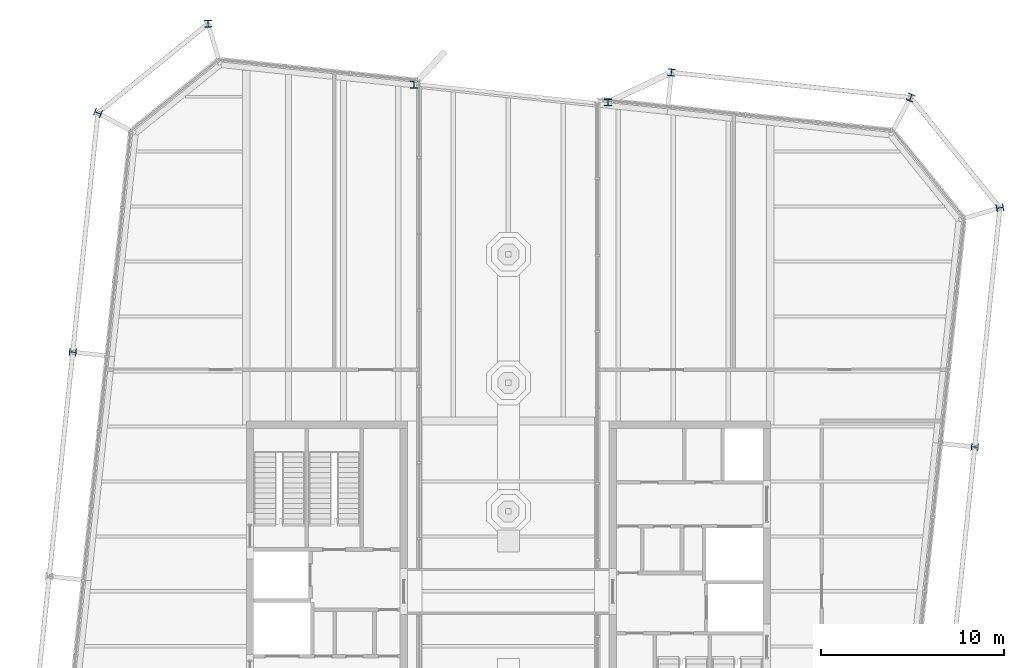
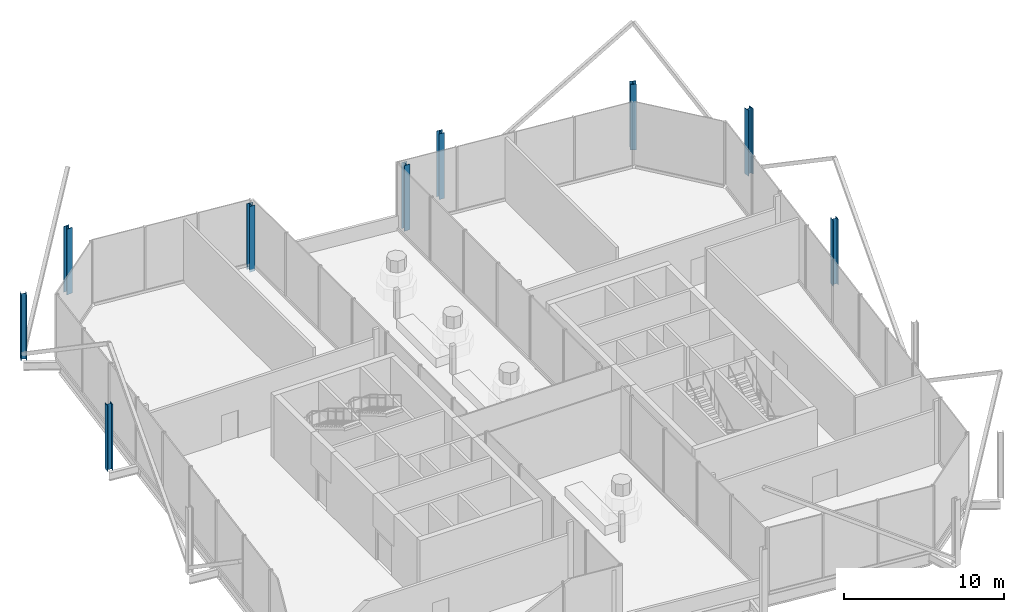
# One storey, part 2 of 14: 9 columns.
"""IFC4 building model written with IfcOpenShell, lengths in metres."""

from ifc_helpers import new_model, si_unit, direction, frame, origin, origin_2d, place, context, subcontext, project, spatial, i_section, extrude, material, material_profile, profile_set, type_object, element, save


model = new_model("IFC4")

# Units and contexts
model_context = context("Model", 3, precision=1e-05, world=origin(), true_north=direction((0.0, 1.0)))
body_context = subcontext(model_context, "Body", "Model", "MODEL_VIEW")
ifc_project = project(units=[si_unit("LENGTHUNIT", "METRE"), si_unit("AREAUNIT", "SQUARE_METRE"), si_unit("VOLUMEUNIT", "CUBIC_METRE"), si_unit("PLANEANGLEUNIT", "RADIAN"), si_unit("MASSUNIT", "GRAM", prefix="KILO")], contexts=[model_context])

# Site, building, storey
site_placement = place(None, origin())
site = spatial("IfcSite", under=ifc_project, at=site_placement, CompositionType="ELEMENT")
building_placement = place(site_placement, origin())
building = spatial("IfcBuilding", under=site, at=building_placement, Name="Millrace Tower", CompositionType="ELEMENT")
storey_placement = place(building_placement, frame((0.0, 0.0, 342.10009765625)))
storey = spatial("IfcBuildingStorey", under=building, at=storey_placement, Name="L79", CompositionType="ELEMENT", Elevation=342.10009765625)

# Columns
ifc_material_1 = material(Name="Steel ASTM A913 Grade 65", Category="steel")
ifc_material_profile_1 = material_profile(ifc_material_1, i_section(OverallWidth=0.396240234375, OverallDepth=0.381103515625, WebThickness=0.018798828125, FlangeThickness=0.0302734375, FilletRadius=0.01513671875, at=origin_2d()))
ifc_profile_set_1 = profile_set([ifc_material_profile_1], Name="Steel ASTM A913 Grade 65")
column_type_1 = type_object("IfcColumnType", Name="Crown corner post W14x159", PredefinedType="COLUMN", material=ifc_profile_set_1)
for number, where, z_axis, x_axis, name in (
    (1, (-5.1435546875, 27.64453125, -0.2001953125), (0.0, 0.0, 1.0), (1.0, 0.0, 0.0), "COL-CROWN-L79-SW-P02"),
    (2, (5.43408203125, 26.6826171875, -0.2001953125), (0.0, 0.0, 1.0), (1.0, 0.0, 0.0), "COL-CROWN-L79-SE-P01"),
):
    element("IfcColumn", number, at=place(storey_placement, frame(where, z_axis=z_axis, x_axis=x_axis)), inside=storey, type_object=column_type_1, Name=name, PredefinedType="COLUMN", context=body_context, shape_type="SweptSolid", body=[
        extrude(i_section(OverallWidth=0.396240234375, OverallDepth=0.381103515625, WebThickness=0.018798828125, FlangeThickness=0.0302734375, FilletRadius=0.01513671875, at=origin_2d()), origin(), (0.0, 0.0, 1.0), 5.0),
    ])
ifc_material_2 = material(Name="Steel ASTM A913 Grade 65", Category="steel")
ifc_material_profile_2 = material_profile(ifc_material_2, i_section(OverallWidth=0.393798828125, OverallDepth=0.3759765625, WebThickness=0.017333984375, FlangeThickness=0.027587890625, FilletRadius=0.01513671875, at=origin_2d()))
ifc_profile_set_2 = profile_set([ifc_material_profile_2], Name="Steel ASTM A913 Grade 65")
column_type_2 = type_object("IfcColumnType", Name="Exoskeleton column W14x145", PredefinedType="COLUMN", material=ifc_profile_set_2)
for number, where, z_axis, x_axis, name in (
    (3, (25.457275390625, 7.879150390625, 0.0), (0.0, 0.0, 1.0), (0.104528445407, 0.994521897246, 0.0), "COL-E-L79-X08"),
    (4, (8.9033203125, 28.321533203125, 0.0), (0.0, 0.0, 1.0), (-0.994521897384, 0.104528444087, 0.0), "COL-E-L79-X11"),
    (5, (-23.771484375, 13.053466796875, 0.0), (0.0, 0.0, 1.0), (-0.104528445407, -0.994521897246, 0.0), "COL-E-L79-X15"),
):
    element("IfcColumn", number, at=place(storey_placement, frame(where, z_axis=z_axis, x_axis=x_axis)), inside=storey, type_object=column_type_2, Name=name, PredefinedType="COLUMN", context=body_context, shape_type="SweptSolid", body=[
        extrude(i_section(OverallWidth=0.393798828125, OverallDepth=0.3759765625, WebThickness=0.017333984375, FlangeThickness=0.027587890625, FilletRadius=0.01513671875, at=origin_2d()), origin(), (0.0, 0.0, 1.0), 5.0),
    ])
ifc_material_3 = material(Name="Steel ASTM A913 Grade 65", Category="steel")
ifc_material_profile_3 = material_profile(ifc_material_3, i_section(OverallWidth=0.396240234375, OverallDepth=0.381103515625, WebThickness=0.018798828125, FlangeThickness=0.0302734375, FilletRadius=0.01513671875, at=origin_2d()))
ifc_profile_set_3 = profile_set([ifc_material_profile_3], Name="Steel ASTM A913 Grade 65")
column_type_3 = type_object("IfcColumnType", Name="Exoskeleton column W14x159", PredefinedType="COLUMN", material=ifc_profile_set_3)
for number, where, z_axis, x_axis, name in (
    (6, (26.82958984375, 20.935791015625, 0.0), (0.0, 0.0, 1.0), (-0.18038747256, 0.983595628164, 0.0), "COL-E-L79-X09"),
    (7, (21.9599609375, 26.94921875, 0.0), (0.0, 0.0, 1.0), (-0.92459700658, 0.380946683176, 0.0), "COL-E-L79-X10"),
    (8, (-16.3857421875, 30.9794921875, 0.0), (0.0, 0.0, 1.0), (-0.997513288558, -0.070478643226, 0.0), "COL-E-L79-X13"),
    (9, (-22.399169921875, 26.10986328125, 0.0), (0.0, 0.0, 1.0), (-0.380946683176, -0.92459700658, 0.0), "COL-E-L79-X14"),
):
    element("IfcColumn", number, at=place(storey_placement, frame(where, z_axis=z_axis, x_axis=x_axis)), inside=storey, type_object=column_type_3, Name=name, PredefinedType="COLUMN", context=body_context, shape_type="SweptSolid", body=[
        extrude(i_section(OverallWidth=0.396240234375, OverallDepth=0.381103515625, WebThickness=0.018798828125, FlangeThickness=0.0302734375, FilletRadius=0.01513671875, at=origin_2d()), origin(), (0.0, 0.0, 1.0), 5.0),
    ])

save(model, "model.ifc")
